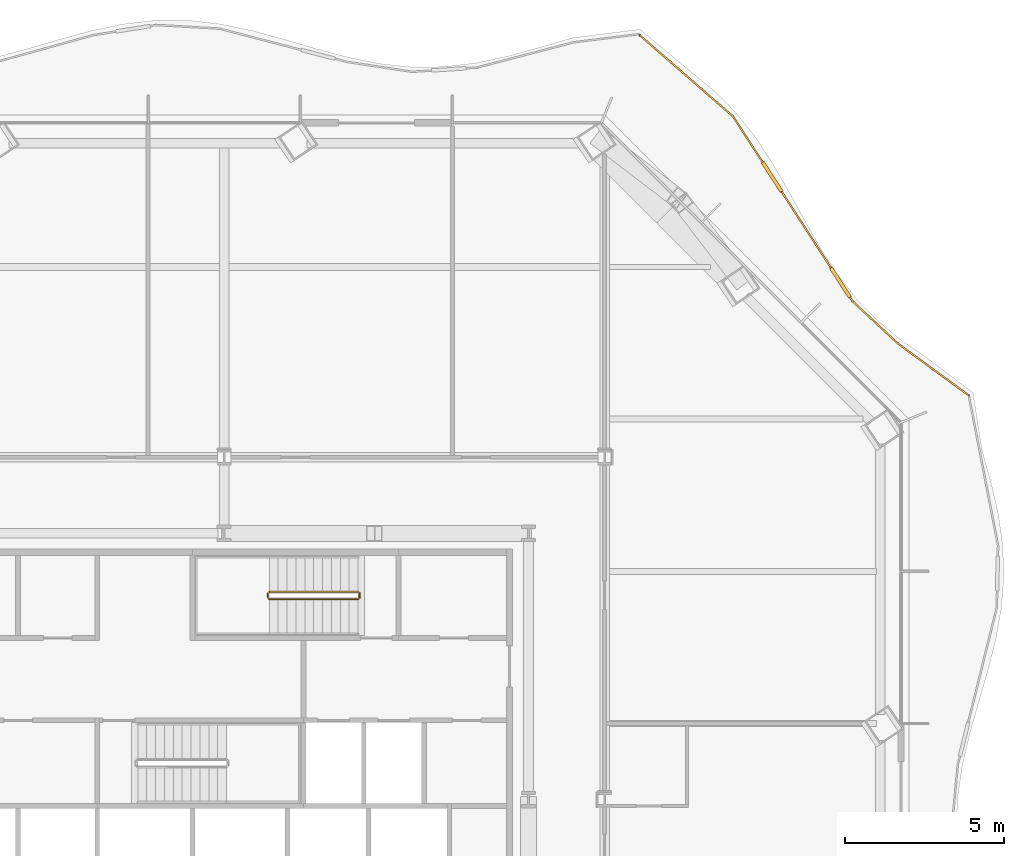
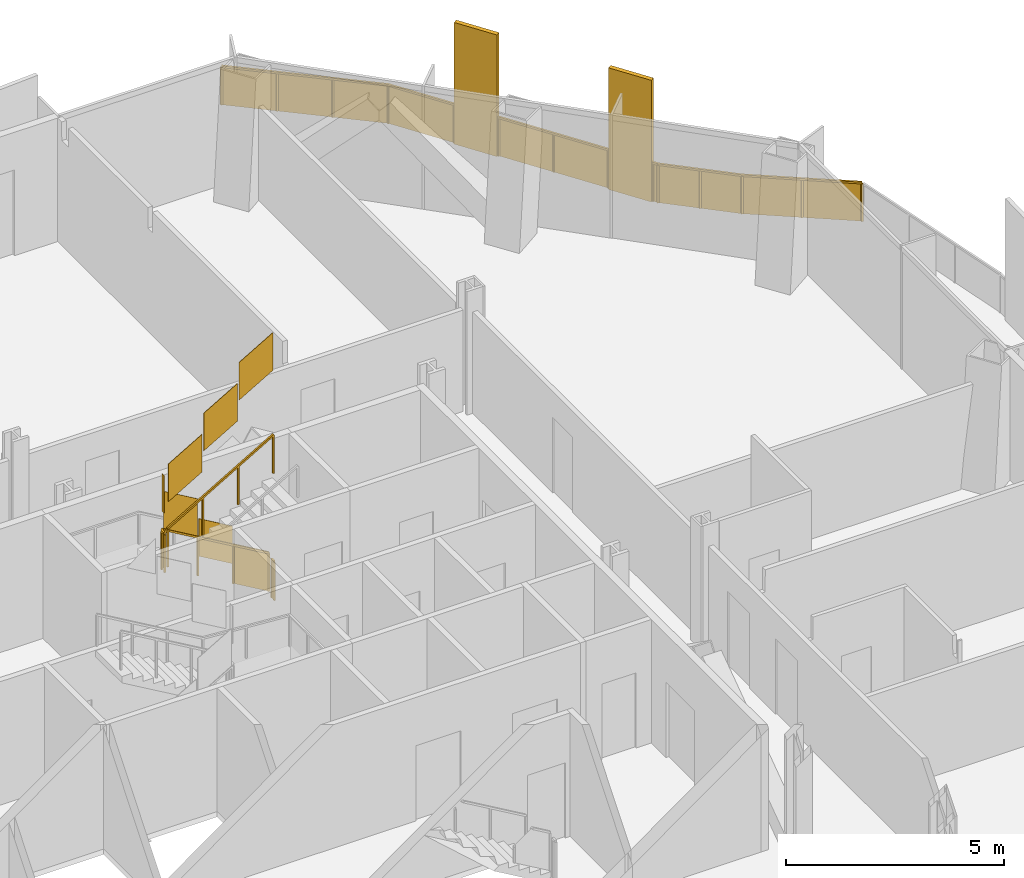
# One storey, part 20 of 20: 3 railings.
"""IFC4 building model written with IfcOpenShell, lengths in metres."""

import ifcopenshell
import ifcopenshell.guid

model = None  # the IFC model being written
_history = None  # IfcOwnerHistory: only IFC2X3 demands one
_inside = {}  # id of a spatial element -> (the spatial element, [elements in it])
_under = {}  # id of a project, library or spatial element -> (it, [spatial elements below it])
_declared = {}  # id of a project -> (the project, [libraries it declares])
_typed = {}  # id of a type object -> (the type object, [elements of that type])
_made_of = {}  # id of a material, layer set ... -> (it, [elements and type objects made of it])


def new_model(schema):
    """Start an empty IFC model of exactly this schema.

    Asked for "IFC4X3", IfcOpenShell would pick the latest addendum, in which some entities
    have other attributes; the version numbers below select the first issue.
    IFC2X3 requires an IfcOwnerHistory on every rooted entity: one is made here for all.
    """
    global model, _history
    if schema == "IFC4X3":
        model = ifcopenshell.file(schema_version=(4, 3, 0, 0))
    else:
        model = ifcopenshell.file(schema=schema)
    _inside.clear()
    _under.clear()
    _declared.clear()
    _typed.clear()
    _made_of.clear()
    _history = None
    if model.schema == "IFC2X3":
        org = make("IfcOrganization", Name="unknown")
        user = make(
            "IfcPersonAndOrganization",
            ThePerson=make("IfcPerson", FamilyName="unknown"),
            TheOrganization=org,
        )
        app = make(
            "IfcApplication",
            ApplicationDeveloper=org,
            Version="unknown",
            ApplicationFullName="unknown",
            ApplicationIdentifier="unknown",
        )
        _history = make(
            "IfcOwnerHistory",
            OwningUser=user,
            OwningApplication=app,
            ChangeAction="ADDED",
            CreationDate=0,
        )
    return model


def make(cls, **values):
    """One entity of the class cls with the attributes given. An attribute that is None is left unset."""
    return model.create_entity(
        cls, **{name: value for name, value in values.items() if value is not None}
    )


def rooted(cls, **values):
    """An entity with a GlobalId (a new one), such as an element, a storey or a relation."""
    return make(cls, GlobalId=ifcopenshell.guid.new(), OwnerHistory=_history, **values)


def si_unit(unit_type, name, prefix=None):
    """IfcSIUnit, for example si_unit("LENGTHUNIT", "METRE", prefix="MILLI")."""
    return make("IfcSIUnit", UnitType=unit_type, Prefix=prefix, Name=name)


def assignment(units):
    """IfcUnitAssignment: the units of a project."""
    return None if units is None else make("IfcUnitAssignment", Units=units)


def point(xyz):
    """IfcCartesianPoint."""
    return None if xyz is None else make("IfcCartesianPoint", Coordinates=xyz)


def direction(xyz):
    """IfcDirection."""
    return None if xyz is None else make("IfcDirection", DirectionRatios=xyz)


def frame(location, z_axis=None, x_axis=None):
    """IfcAxis2Placement3D, a coordinate frame: its origin and axes. An axis left out is left unset."""
    return make(
        "IfcAxis2Placement3D",
        Location=point(location),
        Axis=direction(z_axis),
        RefDirection=direction(x_axis),
    )


def frame_2d(location, x_axis=None):
    """IfcAxis2Placement2D, a coordinate frame in the plane: its origin and x axis."""
    return make(
        "IfcAxis2Placement2D", Location=point(location), RefDirection=direction(x_axis)
    )


def origin():
    """The frame at (0, 0, 0) with its axes left unset."""
    return frame((0.0, 0.0, 0.0))


def origin_2d():
    """The frame at (0, 0) in the plane with its x axis left unset."""
    return frame_2d((0.0, 0.0))


def place(relative_to, where):
    """IfcLocalPlacement: puts the frame where relative to a parent placement (None: the world)."""
    return make(
        "IfcLocalPlacement", PlacementRelTo=relative_to, RelativePlacement=where
    )


def context(
    kind, dimensions, precision=None, world=None, true_north=None, identifier=None
):
    """IfcGeometricRepresentationContext, for example the 3D "Model" context."""
    return make(
        "IfcGeometricRepresentationContext",
        ContextIdentifier=identifier,
        ContextType=kind,
        CoordinateSpaceDimension=dimensions,
        Precision=precision,
        WorldCoordinateSystem=world,
        TrueNorth=true_north,
    )


def subcontext(parent, identifier, kind, view, scale=None):
    """IfcGeometricRepresentationSubContext, for example "Body" below "Model"."""
    return make(
        "IfcGeometricRepresentationSubContext",
        ContextIdentifier=identifier,
        ContextType=kind,
        ParentContext=parent,
        TargetScale=scale,
        TargetView=view,
    )


def project(units=None, contexts=None):
    """IfcProject with its units and contexts."""
    return rooted(
        "IfcProject",
        Name="project",
        RepresentationContexts=contexts,
        UnitsInContext=assignment(units),
    )


def spatial(cls, under=None, at=None, **own):
    """A site, building, storey or space (cls), placed at a placement, below another one or the project."""
    s = rooted(cls, ObjectPlacement=at, **own)
    if under is not None:
        _under.setdefault(under.id(), (under, []))[1].append(s)
    return s


def polyline(points):
    """IfcPolyline through the points."""
    return make("IfcPolyline", Points=[point(p) for p in points])


def profile(cls, at=None, kind="AREA", **sizes):
    """A parametric profile (cls). Its sizes go by their IFC names, for example OverallWidth=200.0."""
    return make(cls, ProfileType=kind, Position=at, **sizes)


def rectangle(**sizes):
    """IfcRectangleProfileDef."""
    return profile("IfcRectangleProfileDef", **sizes)


def outline(outer, holes=None, kind="AREA"):
    """IfcArbitraryClosedProfileDef: a profile drawn as a closed curve; with holes, ...WithVoids."""
    if holes is None:
        return make("IfcArbitraryClosedProfileDef", ProfileType=kind, OuterCurve=outer)
    return make(
        "IfcArbitraryProfileDefWithVoids",
        ProfileType=kind,
        OuterCurve=outer,
        InnerCurves=holes,
    )


def extrude(swept, where, along, depth):
    """IfcExtrudedAreaSolid: the profile swept, set in the frame where, extruded along a direction by depth."""
    return make(
        "IfcExtrudedAreaSolid",
        SweptArea=swept,
        Position=where,
        ExtrudedDirection=direction(along),
        Depth=depth,
    )


def shape(context_of_items, identifier, shape_type, items):
    """IfcShapeRepresentation: the items that make up one representation, for example the "Body"."""
    return make(
        "IfcShapeRepresentation",
        ContextOfItems=context_of_items,
        RepresentationIdentifier=identifier,
        RepresentationType=shape_type,
        Items=items,
    )


def material(Name=None, Category=None):
    """IfcMaterial."""
    return make("IfcMaterial", Name=Name, Category=Category)


def made_of(thing, what):
    """Note that an element or type object is made of a material, layer set ...; save() writes the relation."""
    if what is not None:
        _made_of.setdefault(what.id(), (what, []))[1].append(thing)
    return thing


def type_object(cls, material=None, **own):
    """A type object (cls), such as IfcWallType, which elements share."""
    return made_of(rooted(cls, **own), material)


def element(
    cls,
    number,
    at=None,
    inside=None,
    cuts=None,
    type_object=None,
    material=None,
    context=None,
    identifier="Body",
    shape_type=None,
    held_by="IfcProductDefinitionShape",
    body=None,
    shapes=None,
    **own,
):
    """One element of the class cls, such as IfcWall. Its Tag is "e" and its number.

    at: its placement. inside: the storey or other place that contains it. cuts: it is an
    opening in that element (IfcRelVoidsElement). A single representation is given by context,
    identifier, shape_type and body (its items); several are given by shapes. held_by: the class
    of the entity that holds the representations. save() writes the other relations.
    """
    e = rooted(cls, Tag="e%d" % number, ObjectPlacement=at, **own)
    if body is not None:
        shapes = [shape(context, identifier, shape_type, body)]
    if shapes is not None:
        e.Representation = make(held_by, Representations=shapes)
    if inside is not None:
        _inside.setdefault(inside.id(), (inside, []))[1].append(e)
    if cuts is not None:
        rooted(
            "IfcRelVoidsElement", RelatingBuildingElement=cuts, RelatedOpeningElement=e
        )
    if type_object is not None:
        _typed.setdefault(type_object.id(), (type_object, []))[1].append(e)
    return made_of(e, material)


def aggregate(whole, parts):
    """IfcRelAggregates: a whole, such as a stair, and the parts it consists of."""
    return rooted("IfcRelAggregates", RelatingObject=whole, RelatedObjects=parts)


def save(model, path):
    """Write the relations noted so far, then the file.

    IfcRelAggregates (storeys below a building ...), IfcRelContainedInSpatialStructure (elements
    in a storey), IfcRelDefinesByType, IfcRelAssociatesMaterial and IfcRelDeclares: one each for
    every whole, place, type object, material and project.
    """
    for whole, parts in _under.values():
        aggregate(whole, parts)
    for where, things in _inside.values():
        rooted(
            "IfcRelContainedInSpatialStructure",
            RelatedElements=things,
            RelatingStructure=where,
        )
    for kind, things in _typed.values():
        rooted("IfcRelDefinesByType", RelatedObjects=things, RelatingType=kind)
    for what, things in _made_of.values():
        rooted("IfcRelAssociatesMaterial", RelatedObjects=things, RelatingMaterial=what)
    for by, libraries in _declared.values():
        rooted("IfcRelDeclares", RelatingContext=by, RelatedDefinitions=libraries)
    model.write(path)


model = new_model("IFC4")

# Units and contexts
model_context = context("Model", 3, precision=1e-05, world=origin(), true_north=direction((0.0, 1.0)))
body_context = subcontext(model_context, "Body", "Model", "MODEL_VIEW")
ifc_project = project(units=[si_unit("LENGTHUNIT", "METRE"), si_unit("AREAUNIT", "SQUARE_METRE"), si_unit("VOLUMEUNIT", "CUBIC_METRE"), si_unit("PLANEANGLEUNIT", "RADIAN"), si_unit("MASSUNIT", "GRAM", prefix="KILO")], contexts=[model_context])

# Site, building, storey
site_placement = place(None, origin())
site = spatial("IfcSite", under=ifc_project, at=site_placement, CompositionType="ELEMENT")
building_placement = place(site_placement, origin())
building = spatial("IfcBuilding", under=site, at=building_placement, Name="Cairn Pilgrim Tower", CompositionType="ELEMENT")
storey_placement = place(building_placement, frame((0.0, 0.0, 87.0)))
storey = spatial("IfcBuildingStorey", under=building, at=storey_placement, Name="L20", CompositionType="ELEMENT", Elevation=87.0)

# Railings
ifc_material_1 = material(Name="Bronze anodised aluminium rail, posts and fin screens with laminated glass infill", Category="aluminium")
railing_type_1 = type_object("IfcRailingType", Name="BALCONY GUARD WITH FIN SCREENS", PredefinedType="GUARDRAIL", material=ifc_material_1)
railing_1_placement = place(storey_placement, frame((30.68896484375, 15.15234375, 0.0)))
element("IfcRailing", 1, at=railing_1_placement, inside=storey, type_object=railing_type_1, Name="Balcony guard BGF-4 with fin screens", PredefinedType="GUARDRAIL", context=body_context, shape_type="SweptSolid", body=[
    extrude(rectangle(XDim=0.050048828125, YDim=0.050048828125, at=origin_2d()), frame((0.0, 0.0, 1.0751953125), z_axis=(-0.807280968825, 0.590167296088, 0.0), x_axis=(-0.590167296088, -0.807280968825, 0.0)), (0.0, 0.0, 1.0), 2.76171875),
    extrude(rectangle(XDim=0.050048828125, YDim=0.050048828125, at=origin_2d()), frame((-2.2294921875, 1.6298828125, 1.0751953125), z_axis=(-0.731657165894, 0.681672789244, 0.0), x_axis=(-0.681672789244, -0.731657165894, 0.0)), (0.0, 0.0, 1.0), 1.968505859375),
    extrude(rectangle(XDim=1.10009765625, YDim=0.110107421875, at=origin_2d()), frame((-4.049560546875, 3.559326171875, 0.0), z_axis=(0.0, 0.0, 1.0), x_axis=(-0.54289825143, 0.839798480943, 0.0)), (0.0, 0.0, 1.0), 3.39990234375),
    extrude(rectangle(XDim=1.10009765625, YDim=0.110107421875, at=origin_2d()), frame((-6.204345703125, 6.892578125, 0.0), z_axis=(0.0, 0.0, 1.0), x_axis=(-0.54289825143, 0.839798480943, 0.0)), (0.0, 0.0, 1.0), 3.39990234375),
    extrude(rectangle(XDim=0.050048828125, YDim=0.050048828125, at=origin_2d()), frame((-3.669677734375, 2.9716796875, 1.0751953125), z_axis=(-0.54289825143, 0.839798480943, 0.0), x_axis=(-0.839798480943, -0.54289825143, 0.0)), (0.0, 0.0, 1.0), 0.14990234375),
    extrude(rectangle(XDim=0.050048828125, YDim=0.050048828125, at=origin_2d()), frame((-4.34814453125, 4.021240234375, 1.0751953125), z_axis=(-0.54289825143, 0.839798480943, 0.0), x_axis=(-0.839798480943, -0.54289825143, 0.0)), (0.0, 0.0, 1.0), 2.868896484375),
    extrude(rectangle(XDim=0.050048828125, YDim=0.050048828125, at=origin_2d()), frame((-6.5029296875, 7.3544921875, 1.0751953125), z_axis=(-0.54289825143, 0.839798480943, 0.0), x_axis=(-0.839798480943, -0.54289825143, 0.0)), (0.0, 0.0, 1.0), 1.721435546875),
    extrude(rectangle(XDim=0.050048828125, YDim=0.050048828125, at=origin_2d()), frame((-7.4375, 8.800048828125, 1.0751953125), z_axis=(-0.754482548795, 0.656320107541, 0.0), x_axis=(-0.656320107541, -0.754482548795, 0.0)), (0.0, 0.0, 1.0), 3.889892578125),
    extrude(rectangle(XDim=0.050048828125, YDim=0.050048828125, at=origin_2d()), origin(), (0.0, 0.0, 1.0), 1.050048828125),
    extrude(rectangle(XDim=0.050048828125, YDim=0.050048828125, at=origin_2d()), frame((-1.11474609375, 0.81494140625, 0.0)), (0.0, 0.0, 1.0), 1.050048828125),
    extrude(rectangle(XDim=0.050048828125, YDim=0.050048828125, at=origin_2d()), frame((-2.2294921875, 1.6298828125, 0.0)), (0.0, 0.0, 1.0), 1.050048828125),
    extrude(rectangle(XDim=0.050048828125, YDim=0.050048828125, at=origin_2d()), frame((-2.94970703125, 2.30078125, 0.0)), (0.0, 0.0, 1.0), 1.050048828125),
    extrude(rectangle(XDim=0.050048828125, YDim=0.050048828125, at=origin_2d()), frame((-3.669677734375, 2.9716796875, 0.0)), (0.0, 0.0, 1.0), 1.050048828125),
    extrude(rectangle(XDim=0.050048828125, YDim=0.050048828125, at=origin_2d()), frame((-3.7373046875, 3.076416015625, 0.0)), (0.0, 0.0, 1.0), 1.050048828125),
    extrude(rectangle(XDim=0.050048828125, YDim=0.050048828125, at=origin_2d()), frame((-4.36181640625, 4.042236328125, 0.0)), (0.0, 0.0, 1.0), 1.050048828125),
    extrude(rectangle(XDim=0.050048828125, YDim=0.050048828125, at=origin_2d()), frame((-5.126953125, 5.225830078125, 0.0)), (0.0, 0.0, 1.0), 1.050048828125),
    extrude(rectangle(XDim=0.050048828125, YDim=0.050048828125, at=origin_2d()), frame((-5.89208984375, 6.40966796875, 0.0)), (0.0, 0.0, 1.0), 1.050048828125),
    extrude(rectangle(XDim=0.050048828125, YDim=0.050048828125, at=origin_2d()), frame((-6.5166015625, 7.37548828125, 0.0)), (0.0, 0.0, 1.0), 1.050048828125),
    extrude(rectangle(XDim=0.050048828125, YDim=0.050048828125, at=origin_2d()), frame((-7.4375, 8.800048828125, 0.0)), (0.0, 0.0, 1.0), 1.050048828125),
    extrude(rectangle(XDim=0.050048828125, YDim=0.050048828125, at=origin_2d()), frame((-8.415771484375, 9.651123046875, 0.0)), (0.0, 0.0, 1.0), 1.050048828125),
    extrude(rectangle(XDim=0.050048828125, YDim=0.050048828125, at=origin_2d()), frame((-9.39404296875, 10.501953125, 0.0)), (0.0, 0.0, 1.0), 1.050048828125),
    extrude(rectangle(XDim=0.050048828125, YDim=0.050048828125, at=origin_2d()), frame((-10.372314453125, 11.35302734375, 0.0)), (0.0, 0.0, 1.0), 1.050048828125),
    extrude(outline(polyline([(0.02490234375, 0.0), (1.35595703125, 0.0), (1.35595703125, 1.050048828125), (0.02490234375, 1.050048828125), (0.02490234375, 0.0)])), frame((-0.00341796875, -0.0048828125, 0.0), z_axis=(0.590167296088, 0.807280968825, 0.0), x_axis=(-0.807280968825, 0.590167296088, 0.0)), (0.0, 0.0, 1.0), 0.011962890625),
    extrude(outline(polyline([(0.02490234375, 0.0), (1.35595703125, 0.0), (1.35595703125, 1.050048828125), (0.02490234375, 1.050048828125), (0.02490234375, 0.0)])), frame((-1.1181640625, 0.81005859375, 0.0), z_axis=(0.590167296088, 0.807280968825, 0.0), x_axis=(-0.807280968825, 0.590167296088, 0.0)), (0.0, 0.0, 1.0), 0.011962890625),
    extrude(outline(polyline([(0.02490234375, 0.0), (0.959228515625, 0.0), (0.959228515625, 1.050048828125), (0.02490234375, 1.050048828125), (0.02490234375, 0.0)])), frame((-2.233642578125, 1.62548828125, 0.0), z_axis=(0.681672789244, 0.731657165894, 0.0), x_axis=(-0.731657165894, 0.681672789244, 0.0)), (0.0, 0.0, 1.0), 0.011962890625),
    extrude(outline(polyline([(0.02490234375, 0.0), (0.959228515625, 0.0), (0.959228515625, 1.050048828125), (0.02490234375, 1.050048828125), (0.02490234375, 0.0)])), frame((-2.95361328125, 2.29638671875, 0.0), z_axis=(0.681672789244, 0.731657165894, 0.0), x_axis=(-0.731657165894, 0.681672789244, 0.0)), (0.0, 0.0, 1.0), 0.011962890625),
    extrude(outline(polyline([(0.02490234375, 0.0), (0.099853515625, 0.0), (0.099853515625, 1.050048828125), (0.02490234375, 1.050048828125), (0.02490234375, 0.0)])), frame((-3.6748046875, 2.968505859375, 0.0), z_axis=(0.839798480943, 0.54289825143, 0.0), x_axis=(-0.54289825143, 0.839798480943, 0.0)), (0.0, 0.0, 1.0), 0.011962890625),
    extrude(outline(polyline([(0.02490234375, 0.0), (1.384521484375, 0.0), (1.384521484375, 1.050048828125), (0.02490234375, 1.050048828125), (0.02490234375, 0.0)])), frame((-4.36669921875, 4.0390625, 0.0), z_axis=(0.839798480943, 0.54289825143, 0.0), x_axis=(-0.54289825143, 0.839798480943, 0.0)), (0.0, 0.0, 1.0), 0.011962890625),
    extrude(outline(polyline([(0.02490234375, 0.0), (1.384521484375, 0.0), (1.384521484375, 1.050048828125), (0.02490234375, 1.050048828125), (0.02490234375, 0.0)])), frame((-5.132080078125, 5.22265625, 0.0), z_axis=(0.839798480943, 0.54289825143, 0.0), x_axis=(-0.54289825143, 0.839798480943, 0.0)), (0.0, 0.0, 1.0), 0.011962890625),
    extrude(outline(polyline([(0.02490234375, 0.0), (1.67138671875, 0.0), (1.67138671875, 1.050048828125), (0.02490234375, 1.050048828125), (0.02490234375, 0.0)])), frame((-6.521484375, 7.3720703125, 0.0), z_axis=(0.839798480943, 0.54289825143, 0.0), x_axis=(-0.54289825143, 0.839798480943, 0.0)), (0.0, 0.0, 1.0), 0.011962890625),
    extrude(outline(polyline([(0.02490234375, 0.0), (1.271484375, 0.0), (1.271484375, 1.050048828125), (0.02490234375, 1.050048828125), (0.02490234375, 0.0)])), frame((-7.44140625, 8.795654296875, 0.0), z_axis=(0.656320107541, 0.754482548795, 0.0), x_axis=(-0.754482548795, 0.656320107541, 0.0)), (0.0, 0.0, 1.0), 0.011962890625),
    extrude(outline(polyline([(0.02490234375, 0.0), (1.271484375, 0.0), (1.271484375, 1.050048828125), (0.02490234375, 1.050048828125), (0.02490234375, 0.0)])), frame((-8.419677734375, 9.646484375, 0.0), z_axis=(0.656320107541, 0.754482548795, 0.0), x_axis=(-0.754482548795, 0.656320107541, 0.0)), (0.0, 0.0, 1.0), 0.011962890625),
    extrude(outline(polyline([(0.02490234375, 0.0), (1.271484375, 0.0), (1.271484375, 1.050048828125), (0.02490234375, 1.050048828125), (0.02490234375, 0.0)])), frame((-9.39794921875, 10.49755859375, 0.0), z_axis=(0.656320107541, 0.754482548795, 0.0), x_axis=(-0.754482548795, 0.656320107541, 0.0)), (0.0, 0.0, 1.0), 0.011962890625),
])
ifc_material_2 = material(Name="Painted steel", Category="steel")
railing_type_2 = type_object("IfcRailingType", Name="STAIR GUARD 1100", PredefinedType="GUARDRAIL", material=ifc_material_2)
railing_2_placement = place(storey_placement, frame((11.425048828125, 8.949951171875, 0.16357421875)))
element("IfcRailing", 2, at=railing_2_placement, inside=storey, type_object=railing_type_2, Name="L20 ST-C stair guard 1", PredefinedType="GUARDRAIL", context=body_context, shape_type="SweptSolid", body=[
    extrude(rectangle(XDim=0.048095703125, YDim=0.048095703125, at=origin_2d()), frame((0.0, 0.0, 1.076171875), z_axis=(-0.863360870873, 0.0, 0.504586966384), x_axis=(0.0, -1.0, 0.0)), (0.0, 0.0, 1.0), 3.2431640625),
    extrude(rectangle(XDim=0.048095703125, YDim=0.048095703125, at=origin_2d()), frame((-2.800048828125, 0.0, 2.71240234375), z_axis=(-0.707106781187, -0.707106781187, 0.0), x_axis=(0.707106781187, -0.707106781187, 0.0)), (0.0, 0.0, 1.0), 0.07080078125),
    extrude(rectangle(XDim=0.048095703125, YDim=0.048095703125, at=origin_2d()), frame((-2.85009765625, -0.050048828125, 2.71240234375), z_axis=(0.0, -1.0, 0.0), x_axis=(1.0, 0.0, 0.0)), (0.0, 0.0, 1.0), 0.125),
    extrude(rectangle(XDim=0.048095703125, YDim=0.048095703125, at=origin_2d()), frame((-2.85009765625, -0.175048828125, 2.71240234375), z_axis=(0.280916556609, -0.279546231943, 0.91811752648), x_axis=(0.705375805398, 0.708833529934, 0.0)), (0.0, 0.0, 1.0), 0.17822265625),
    extrude(rectangle(XDim=0.048095703125, YDim=0.048095703125, at=origin_2d()), frame((-2.800048828125, -0.224853515625, 2.8759765625), z_axis=(0.863360870873, 0.0, 0.504586966384), x_axis=(0.0, 1.0, 0.0)), (0.0, 0.0, 1.0), 3.2431640625),
    extrude(rectangle(XDim=0.0419921875, YDim=0.0419921875, at=origin_2d()), origin(), (0.0, 0.0, 1.0), 1.052001953125),
    extrude(rectangle(XDim=0.0419921875, YDim=0.0419921875, at=origin_2d()), frame((-0.933349609375, 0.0, 0.54541015625)), (0.0, 0.0, 1.0), 1.052001953125),
    extrude(rectangle(XDim=0.0419921875, YDim=0.0419921875, at=origin_2d()), frame((-1.86669921875, 0.0, 1.091064453125)), (0.0, 0.0, 1.0), 1.052001953125),
    extrude(rectangle(XDim=0.0419921875, YDim=0.0419921875, at=origin_2d()), frame((-2.800048828125, 0.0, 1.636474609375)), (0.0, 0.0, 1.0), 1.052001953125),
    extrude(rectangle(XDim=0.0419921875, YDim=0.0419921875, at=origin_2d()), frame((-2.85009765625, -0.050048828125, 1.636474609375)), (0.0, 0.0, 1.0), 1.052001953125),
    extrude(rectangle(XDim=0.0419921875, YDim=0.0419921875, at=origin_2d()), frame((-2.85009765625, -0.175048828125, 1.636474609375)), (0.0, 0.0, 1.0), 1.052001953125),
    extrude(rectangle(XDim=0.0419921875, YDim=0.0419921875, at=origin_2d()), frame((-2.800048828125, -0.224853515625, 1.800048828125)), (0.0, 0.0, 1.0), 1.052001953125),
    extrude(rectangle(XDim=0.0419921875, YDim=0.0419921875, at=origin_2d()), frame((-1.86669921875, -0.224853515625, 2.345458984375)), (0.0, 0.0, 1.0), 1.052001953125),
    extrude(rectangle(XDim=0.0419921875, YDim=0.0419921875, at=origin_2d()), frame((-0.933349609375, -0.224853515625, 2.89111328125)), (0.0, 0.0, 1.0), 1.052001953125),
    extrude(rectangle(XDim=0.0419921875, YDim=0.0419921875, at=origin_2d()), frame((0.0, -0.224853515625, 3.4365234375)), (0.0, 0.0, 1.0), 1.052001953125),
    extrude(outline(polyline([(0.02099609375, 0.01220703125), (0.912353515625, 0.533203125), (0.912353515625, 1.585205078125), (0.02099609375, 1.064208984375), (0.02099609375, 0.01220703125)])), frame((0.0, -0.005859375, 0.0), z_axis=(0.0, 1.0, 0.0), x_axis=(-1.0, 0.0, 0.0)), (0.0, 0.0, 1.0), 0.011962890625),
    extrude(outline(polyline([(0.02099609375, 0.557861328125), (0.912353515625, 1.07861328125), (0.912353515625, 2.130615234375), (0.02099609375, 1.60986328125), (0.02099609375, 0.557861328125)])), frame((-0.933349609375, -0.005859375, 0.54541015625), z_axis=(0.0, 1.0, 0.0), x_axis=(-1.0, 0.0, 0.0)), (0.0, 0.0, 1.0), 0.011962890625),
    extrude(outline(polyline([(0.02099609375, 1.103271484375), (0.912353515625, 1.624267578125), (0.912353515625, 2.67626953125), (0.02099609375, 2.1552734375), (0.02099609375, 1.103271484375)])), frame((-1.86669921875, -0.005859375, 1.091064453125), z_axis=(0.0, 1.0, 0.0), x_axis=(-1.0, 0.0, 0.0)), (0.0, 0.0, 1.0), 0.011962890625),
    extrude(outline(polyline([(0.02099609375, 1.636474609375), (0.10400390625, 1.636474609375), (0.10400390625, 2.6884765625), (0.02099609375, 2.6884765625), (0.02099609375, 1.636474609375)])), frame((-2.84423828125, -0.050048828125, 1.636474609375), z_axis=(-1.0, 0.0, 0.0), x_axis=(0.0, -1.0, 0.0)), (0.0, 0.0, 1.0), 0.011962890625),
    extrude(outline(polyline([(0.02099609375, 1.812255859375), (0.912353515625, 2.333251953125), (0.912353515625, 3.38525390625), (0.02099609375, 2.8642578125), (0.02099609375, 1.812255859375)])), frame((-2.800048828125, -0.21875, 1.800048828125), z_axis=(0.0, -1.0, 0.0), x_axis=(1.0, 0.0, 0.0)), (0.0, 0.0, 1.0), 0.011962890625),
    extrude(outline(polyline([(0.02099609375, 2.35791015625), (0.912353515625, 2.878662109375), (0.912353515625, 3.9306640625), (0.02099609375, 3.409912109375), (0.02099609375, 2.35791015625)])), frame((-1.86669921875, -0.21875, 2.345458984375), z_axis=(0.0, -1.0, 0.0), x_axis=(1.0, 0.0, 0.0)), (0.0, 0.0, 1.0), 0.011962890625),
    extrude(outline(polyline([(0.02099609375, 2.9033203125), (0.912353515625, 3.42431640625), (0.912353515625, 4.476318359375), (0.02099609375, 3.955322265625), (0.02099609375, 2.9033203125)])), frame((-0.933349609375, -0.21875, 2.89111328125), z_axis=(0.0, -1.0, 0.0), x_axis=(1.0, 0.0, 0.0)), (0.0, 0.0, 1.0), 0.011962890625),
])
railing_3_placement = place(storey_placement, frame((11.47509765625, 8.89990234375, 0.0)))
element("IfcRailing", 3, at=railing_3_placement, inside=storey, type_object=railing_type_2, Name="L20 ST-C stair guard 2", PredefinedType="GUARDRAIL", context=body_context, shape_type="SweptSolid", body=[
    extrude(rectangle(XDim=0.048095703125, YDim=0.048095703125, at=origin_2d()), frame((0.0, 0.0, 1.076171875), z_axis=(0.0, -1.0, 0.0), x_axis=(1.0, 0.0, 0.0)), (0.0, 0.0, 1.0), 0.125),
    extrude(rectangle(XDim=0.0419921875, YDim=0.0419921875, at=origin_2d()), origin(), (0.0, 0.0, 1.0), 1.052001953125),
    extrude(rectangle(XDim=0.0419921875, YDim=0.0419921875, at=origin_2d()), frame((0.0, -0.125, 0.0)), (0.0, 0.0, 1.0), 1.052001953125),
    extrude(outline(polyline([(0.02099609375, 0.0), (0.10400390625, 0.0), (0.10400390625, 1.052001953125), (0.02099609375, 1.052001953125), (0.02099609375, 0.0)])), frame((0.005859375, 0.0, 0.0), z_axis=(-1.0, 0.0, 0.0), x_axis=(0.0, -1.0, 0.0)), (0.0, 0.0, 1.0), 0.011962890625),
])

save(model, "model.ifc")
